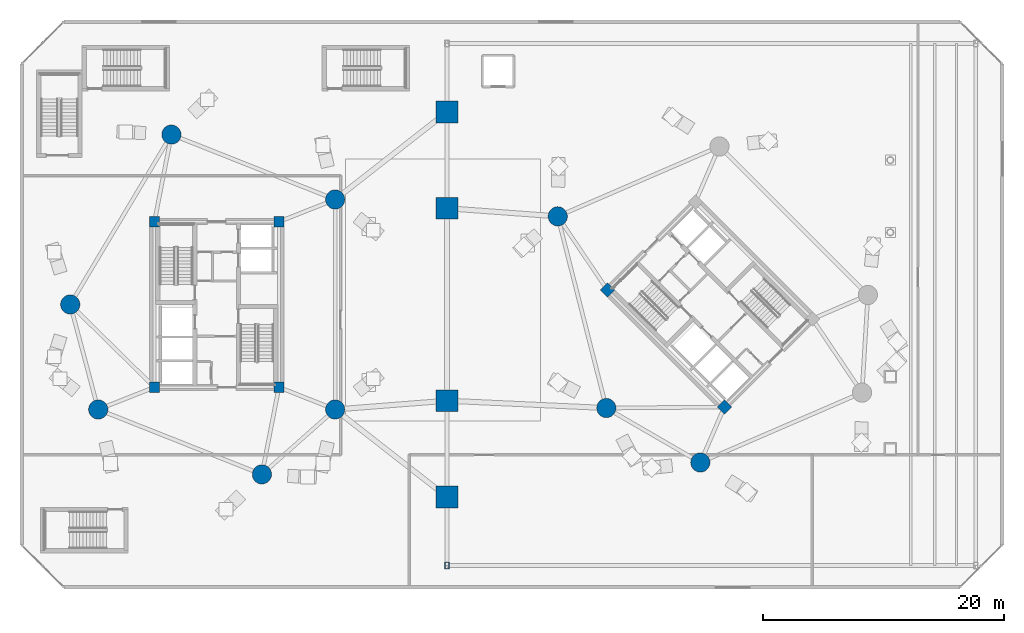
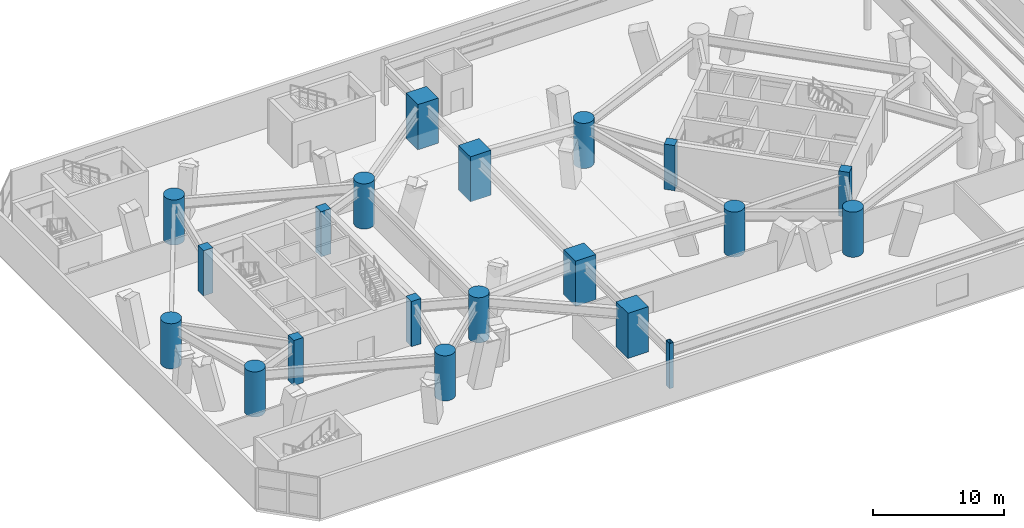
# One storey, part 1 of 20: 20 columns.
"""IFC4 building model written with IfcOpenShell, lengths in metres."""

from ifc_helpers import new_model, si_unit, direction, frame, origin, origin_2d, place, context, subcontext, project, spatial, rectangle, hollow_rectangle, circle, extrude, material, material_profile, profile_set, type_object, element, save


model = new_model("IFC4")

# Units and contexts
model_context = context("Model", 3, precision=1e-05, world=origin(), true_north=direction((0.0, 1.0)))
body_context = subcontext(model_context, "Body", "Model", "MODEL_VIEW")
ifc_project = project(units=[si_unit("LENGTHUNIT", "METRE"), si_unit("AREAUNIT", "SQUARE_METRE"), si_unit("VOLUMEUNIT", "CUBIC_METRE"), si_unit("PLANEANGLEUNIT", "RADIAN"), si_unit("MASSUNIT", "GRAM", prefix="KILO")], contexts=[model_context])

# Site, building, storey
site_placement = place(None, origin())
site = spatial("IfcSite", under=ifc_project, at=site_placement, CompositionType="ELEMENT")
building_placement = place(site_placement, origin())
building = spatial("IfcBuilding", under=site, at=building_placement, Name="Cununo Teusaquillo Station Towers", CompositionType="ELEMENT")
storey_placement = place(building_placement, frame((0.0, 0.0, 13.199951171875)))
storey = spatial("IfcBuildingStorey", under=building, at=storey_placement, Name="L03", CompositionType="ELEMENT", Elevation=13.199951171875)

# Columns
ifc_material_1 = material(Name="Concrete C50/60", Category="concrete")
ifc_material_profile_1 = material_profile(ifc_material_1, rectangle(XDim=0.85009765625, YDim=0.85009765625, at=origin_2d()), Name="RC-RECT-850x850")
ifc_profile_set_1 = profile_set([ifc_material_profile_1], Name="Concrete C50/60")
column_type_1 = type_object("IfcColumnType", Name="COL-CORE-Z1", PredefinedType="COLUMN", material=ifc_profile_set_1)
for number, where, z_axis, x_axis, name in (
    (1, (11.324951171875, 17.6201171875, 0.0), (0.0, 0.0, 1.0), (1.0, 0.0, 0.0), "L03 Tower A Core Column 1"),
    (2, (11.324951171875, 31.3798828125, 0.0), (0.0, 0.0, 1.0), (1.0, 0.0, 0.0), "L03 Tower A Core Column 2"),
    (3, (21.675048828125, 17.6201171875, 0.0), (0.0, 0.0, 1.0), (1.0, 0.0, 0.0), "L03 Tower A Core Column 3"),
    (4, (21.675048828125, 31.3798828125, 0.0), (0.0, 0.0, 1.0), (1.0, 0.0, 0.0), "L03 Tower A Core Column 4"),
    (5, (58.70556640625, 15.975830078125, 0.0), (0.0, 0.0, 1.0), (0.707106781187, 0.707106781187, 0.0), "L03 Tower B Core Column 1"),
    (6, (48.975830078125, 25.70556640625, 0.0), (0.0, 0.0, 1.0), (0.707106781187, 0.707106781187, 0.0), "L03 Tower B Core Column 2"),
):
    element("IfcColumn", number, at=place(storey_placement, frame(where, z_axis=z_axis, x_axis=x_axis)), inside=storey, type_object=column_type_1, Name=name, PredefinedType="COLUMN", context=body_context, shape_type="SweptSolid", body=[
        extrude(rectangle(XDim=0.85009765625, YDim=0.85009765625, at=origin_2d()), origin(), (0.0, 0.0, 1.0), 4.199951171875),
    ])
ifc_material_2 = material(Name="Concrete C60/75", Category="concrete")
ifc_material_profile_2 = material_profile(ifc_material_2, circle(Radius=0.800048828125, at=origin_2d()), Name="RC-CIRC-1600")
ifc_profile_set_2 = profile_set([ifc_material_profile_2], Name="Concrete C60/75")
column_type_2 = type_object("IfcColumnType", Name="COL-MEGA-POD", PredefinedType="USERDEFINED", material=ifc_profile_set_2)
for number, where, z_axis, x_axis, name in (
    (7, (26.347412109375, 33.228515625, 0.0), (0.0, 0.0, 1.0), (1.0, 0.0, 0.0), "L03 Tower A Perimeter Column V02"),
    (8, (12.738525390625, 38.623291015625, 0.0), (0.0, 0.0, 1.0), (1.0, 0.0, 0.0), "L03 Tower A Perimeter Column V06"),
    (9, (4.327880859375, 24.5, 0.0), (0.0, 0.0, 1.0), (1.0, 0.0, 0.0), "L03 Tower A Perimeter Column V10"),
    (10, (6.652587890625, 15.771484375, 0.0), (0.0, 0.0, 1.0), (1.0, 0.0, 0.0), "L03 Tower A Perimeter Column V12"),
    (11, (20.261474609375, 10.376708984375, 0.0), (0.0, 0.0, 1.0), (1.0, 0.0, 0.0), "L03 Tower A Perimeter Column V16"),
    (12, (26.347412109375, 15.771484375, 0.0), (0.0, 0.0, 1.0), (1.0, 0.0, 0.0), "L03 Tower A Perimeter Column V18"),
    (13, (44.853759765625, 31.826904296875, 0.0), (0.0, 0.0, 1.0), (1.0, 0.0, 0.0), "L03 Tower B Perimeter Column V06"),
    (14, (48.89306640625, 15.89306640625, 0.0), (0.0, 0.0, 1.0), (1.0, 0.0, 0.0), "L03 Tower B Perimeter Column V10"),
    (15, (56.708984375, 11.36474609375, 0.0), (0.0, 0.0, 1.0), (1.0, 0.0, 0.0), "L03 Tower B Perimeter Column V12"),
):
    element("IfcColumn", number, at=place(storey_placement, frame(where, z_axis=z_axis, x_axis=x_axis)), inside=storey, type_object=column_type_2, Name=name, ObjectType="MEGA COLUMN", PredefinedType="USERDEFINED", context=body_context, shape_type="SweptSolid", body=[
        extrude(circle(Radius=0.800048828125, at=origin_2d()), origin(), (0.0, 0.0, 1.0), 4.199951171875),
    ])
ifc_material_3 = material(Name="Steel ASTM A572 Grade 50", Category="steel")
ifc_material_profile_3 = material_profile(ifc_material_3, hollow_rectangle(XDim=0.35009765625, YDim=0.550048828125, WallThickness=0.02197265625, at=origin_2d()), Name="RHS 550x350x22")
ifc_profile_set_3 = profile_set([ifc_material_profile_3], Name="Steel ASTM A572 Grade 50")
column_type_3 = type_object("IfcColumnType", Name="COL-PILASTER", PredefinedType="PILASTER", material=ifc_profile_set_3)
column_placement = place(storey_placement, frame((35.64990234375, 2.800048828125, 0.0), z_axis=(0.0, 0.0, 1.0), x_axis=(1.0, 0.0, 0.0)))
element("IfcColumn", 16, at=column_placement, inside=storey, type_object=column_type_3, Name="L03 Station Hall Pilaster PIL-SW", PredefinedType="PILASTER", context=body_context, shape_type="SweptSolid", body=[
    extrude(hollow_rectangle(XDim=0.35009765625, YDim=0.550048828125, WallThickness=0.02197265625, at=origin_2d()), origin(), (0.0, 0.0, 1.0), 4.199951171875),
])
ifc_material_4 = material(Name="Concrete C60/75", Category="concrete")
ifc_material_profile_4 = material_profile(ifc_material_4, rectangle(XDim=1.800048828125, YDim=1.800048828125, at=origin_2d()), Name="RC-RECT-1800x1800")
ifc_profile_set_4 = profile_set([ifc_material_profile_4], Name="Concrete C60/75")
column_type_4 = type_object("IfcColumnType", Name="COL-POD-MEGA", PredefinedType="USERDEFINED", material=ifc_profile_set_4)
for number, where, z_axis, x_axis, name in (
    (17, (35.64990234375, 8.5, 0.0), (0.0, 0.0, 1.0), (1.0, 0.0, 0.0), "L03 Station Mega-Column PMC-S"),
    (18, (35.64990234375, 16.5, 0.0), (0.0, 0.0, 1.0), (1.0, 0.0, 0.0), "L03 Station Mega-Column PMC-M1"),
    (19, (35.64990234375, 32.5, 0.0), (0.0, 0.0, 1.0), (1.0, 0.0, 0.0), "L03 Station Mega-Column PMC-M2"),
    (20, (35.64990234375, 40.5, 0.0), (0.0, 0.0, 1.0), (1.0, 0.0, 0.0), "L03 Station Mega-Column PMC-N"),
):
    element("IfcColumn", number, at=place(storey_placement, frame(where, z_axis=z_axis, x_axis=x_axis)), inside=storey, type_object=column_type_4, Name=name, ObjectType="MEGA COLUMN", PredefinedType="USERDEFINED", context=body_context, shape_type="SweptSolid", body=[
        extrude(rectangle(XDim=1.800048828125, YDim=1.800048828125, at=origin_2d()), origin(), (0.0, 0.0, 1.0), 4.199951171875),
    ])

save(model, "model.ifc")
